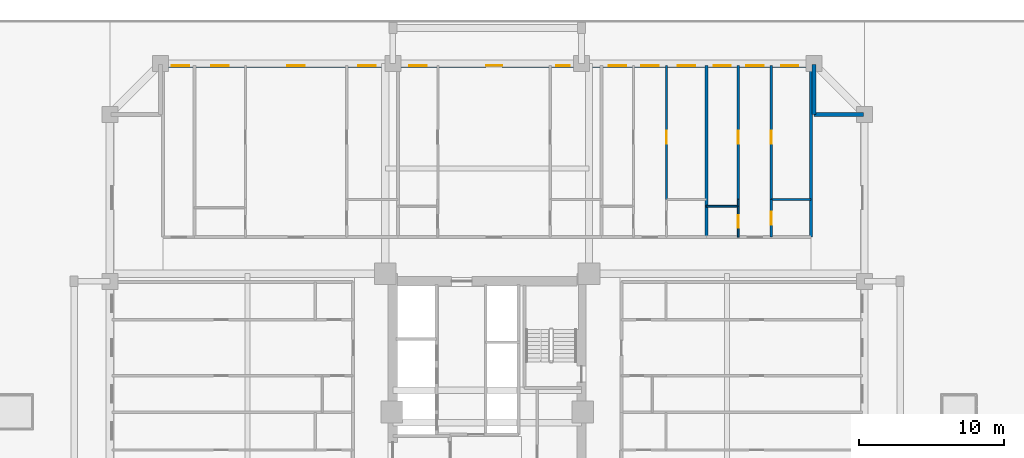
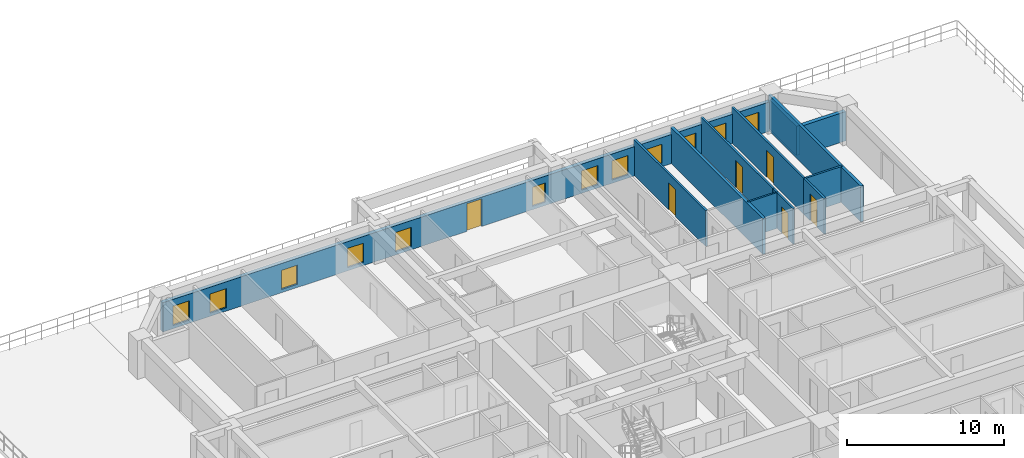
# One storey, part 9 of 19: 13 walls, 12 windows, 6 doors, 18 openings.
"""IFC4 building model written with IfcOpenShell, lengths in metres."""

from ifc_helpers import new_model, si_unit, direction, frame, frame_2d, origin, place, context, subcontext, project, spatial, rectangle, extrude, source, transform, mapped, material, layer, layer_set, type_object, element, fill, save


model = new_model("IFC4")

# Units and contexts
model_context = context("Model", 3, precision=1e-05, world=origin(), true_north=direction((0.0, 1.0)))
body_context = subcontext(model_context, "Body", "Model", "MODEL_VIEW")
ifc_project = project(units=[si_unit("LENGTHUNIT", "METRE"), si_unit("AREAUNIT", "SQUARE_METRE"), si_unit("VOLUMEUNIT", "CUBIC_METRE"), si_unit("PLANEANGLEUNIT", "RADIAN"), si_unit("MASSUNIT", "GRAM", prefix="KILO")], contexts=[model_context])

# Site, building, storey
site_placement = place(None, origin())
site = spatial("IfcSite", under=ifc_project, at=site_placement, CompositionType="ELEMENT")
building_placement = place(site_placement, origin())
building = spatial("IfcBuilding", under=site, at=building_placement, Name="Saelheon Loggia Tower", CompositionType="ELEMENT")
storey_placement = place(building_placement, frame((0.0, 0.0, 19.39990234375)))
storey = spatial("IfcBuildingStorey", under=building, at=storey_placement, Name="L05", CompositionType="ELEMENT", Elevation=19.39990234375)

# Wall, openings, windows, door
ifc_material_1 = material(Name="Architectural Precast Concrete C40/50", Category="concrete")
ifc_layer_1 = layer(ifc_material_1, 0.280029296875)
ifc_layer_set_1 = layer_set([ifc_layer_1], Name="Architectural Precast Concrete C40/50")
wall_type_1 = type_object("IfcWallType", Name="Wall_Ext_Loggia_280", PredefinedType="SOLIDWALL", material=ifc_layer_set_1)
wall_1_placement = place(storey_placement, frame((15.5, 50.860107421875, 0.0), z_axis=(0.0, 0.0, 1.0), x_axis=(1.0, 0.0, 0.0)))
wall_1 = element("IfcWall", 1, at=wall_1_placement, inside=storey, type_object=wall_type_1, Name="L05 North Loggia Inner Wall", PredefinedType="SOLIDWALL", context=body_context, shape_type="SweptSolid", body=[
    extrude(rectangle(XDim=45.0, YDim=0.280029296875, at=frame_2d((22.5, 0.0))), origin(), (0.0, 0.0, 1.0), 2.280029296875),
])
opening_1_placement = place(wall_1_placement, frame((0.760009765625, 0.0, 0.25)))
opening_1 = element("IfcOpeningElement", 2, at=opening_1_placement, cuts=wall_1, Name="Opening WN-03", PredefinedType="OPENING", context=body_context, shape_type="SweptSolid", body=[
    extrude(rectangle(XDim=1.199951171875, YDim=1.5, at=frame_2d((0.60009765625, 0.75))), frame((0.0, 0.152099609375, 0.0), z_axis=(0.0, -1.0, 0.0), x_axis=(1.0, 0.0, 0.0)), (0.0, 0.0, 1.0), 0.303955078125),
])
opening_2_placement = place(wall_1_placement, frame((3.494384765625, 0.0, 0.25)))
opening_2 = element("IfcOpeningElement", 3, at=opening_2_placement, cuts=wall_1, Name="Opening WN-03", PredefinedType="OPENING", context=body_context, shape_type="SweptSolid", body=[
    extrude(rectangle(XDim=1.199951171875, YDim=1.5, at=frame_2d((0.60009765625, 0.75))), frame((0.0, 0.152099609375, 0.0), z_axis=(0.0, -1.0, 0.0), x_axis=(1.0, 0.0, 0.0)), (0.0, 0.0, 1.0), 0.303955078125),
])
opening_3_placement = place(wall_1_placement, frame((8.740966796875, 0.0, 0.25)))
opening_3 = element("IfcOpeningElement", 4, at=opening_3_placement, cuts=wall_1, Name="Opening WN-03", PredefinedType="OPENING", context=body_context, shape_type="SweptSolid", body=[
    extrude(rectangle(XDim=1.199951171875, YDim=1.5, at=frame_2d((0.60009765625, 0.75))), frame((0.0, 0.152099609375, 0.0), z_axis=(0.0, -1.0, 0.0), x_axis=(1.0, 0.0, 0.0)), (0.0, 0.0, 1.0), 0.303955078125),
])
opening_4_placement = place(wall_1_placement, frame((13.616455078125, 0.0, 0.25)))
opening_4 = element("IfcOpeningElement", 5, at=opening_4_placement, cuts=wall_1, Name="Opening WN-03", PredefinedType="OPENING", context=body_context, shape_type="SweptSolid", body=[
    extrude(rectangle(XDim=1.199951171875, YDim=1.5, at=frame_2d((0.60009765625, 0.75))), frame((0.0, 0.152099609375, 0.0), z_axis=(0.0, -1.0, 0.0), x_axis=(1.0, 0.0, 0.0)), (0.0, 0.0, 1.0), 0.303955078125),
])
opening_5_placement = place(wall_1_placement, frame((17.145751953125, 0.0, 0.25)))
opening_5 = element("IfcOpeningElement", 6, at=opening_5_placement, cuts=wall_1, Name="Opening WN-03", PredefinedType="OPENING", context=body_context, shape_type="SweptSolid", body=[
    extrude(rectangle(XDim=1.199951171875, YDim=1.5, at=frame_2d((0.60009765625, 0.75))), frame((0.0, 0.152099609375, 0.0), z_axis=(0.0, -1.0, 0.0), x_axis=(1.0, 0.0, 0.0)), (0.0, 0.0, 1.0), 0.303955078125),
])
opening_6_placement = place(wall_1_placement, frame((22.423095703125, 0.0, 0.0)))
opening_6 = element("IfcOpeningElement", 7, at=opening_6_placement, cuts=wall_1, Name="Opening TD1", PredefinedType="OPENING", context=body_context, shape_type="SweptSolid", body=[
    extrude(rectangle(XDim=1.10009765625, YDim=2.14990234375, at=frame_2d((0.550048828125, 1.074951171875))), frame((0.0, 0.152099609375, 0.0), z_axis=(0.0, -1.0, 0.0), x_axis=(1.0, 0.0, 0.0)), (0.0, 0.0, 1.0), 0.303955078125),
])
opening_7_placement = place(wall_1_placement, frame((27.252197265625, 0.0, 0.25)))
opening_7 = element("IfcOpeningElement", 8, at=opening_7_placement, cuts=wall_1, Name="Opening WN-04", PredefinedType="OPENING", context=body_context, shape_type="SweptSolid", body=[
    extrude(rectangle(XDim=0.949951171875, YDim=1.5, at=frame_2d((0.47509765625, 0.75))), frame((0.0, 0.152099609375, 0.0), z_axis=(0.0, -1.0, 0.0), x_axis=(1.0, 0.0, 0.0)), (0.0, 0.0, 1.0), 0.303955078125),
])
opening_8_placement = place(wall_1_placement, frame((30.873291015625, 0.0, 0.25)))
opening_8 = element("IfcOpeningElement", 9, at=opening_8_placement, cuts=wall_1, Name="Opening WN-03", PredefinedType="OPENING", context=body_context, shape_type="SweptSolid", body=[
    extrude(rectangle(XDim=1.199951171875, YDim=1.5, at=frame_2d((0.60009765625, 0.75))), frame((0.0, 0.152099609375, 0.0), z_axis=(0.0, -1.0, 0.0), x_axis=(1.0, 0.0, 0.0)), (0.0, 0.0, 1.0), 0.303955078125),
])
opening_9_placement = place(wall_1_placement, frame((33.112548828125, 0.0, 0.25)))
opening_9 = element("IfcOpeningElement", 10, at=opening_9_placement, cuts=wall_1, Name="Opening WN-03", PredefinedType="OPENING", context=body_context, shape_type="SweptSolid", body=[
    extrude(rectangle(XDim=1.199951171875, YDim=1.5, at=frame_2d((0.60009765625, 0.75))), frame((0.0, 0.152099609375, 0.0), z_axis=(0.0, -1.0, 0.0), x_axis=(1.0, 0.0, 0.0)), (0.0, 0.0, 1.0), 0.303955078125),
])
opening_10_placement = place(wall_1_placement, frame((35.624267578125, 0.0, 0.25)))
opening_10 = element("IfcOpeningElement", 11, at=opening_10_placement, cuts=wall_1, Name="Opening WN-03", PredefinedType="OPENING", context=body_context, shape_type="SweptSolid", body=[
    extrude(rectangle(XDim=1.199951171875, YDim=1.5, at=frame_2d((0.60009765625, 0.75))), frame((0.0, 0.152099609375, 0.0), z_axis=(0.0, -1.0, 0.0), x_axis=(1.0, 0.0, 0.0)), (0.0, 0.0, 1.0), 0.303955078125),
])
opening_11_placement = place(wall_1_placement, frame((38.0966796875, 0.0, 0.25)))
opening_11 = element("IfcOpeningElement", 12, at=opening_11_placement, cuts=wall_1, Name="Opening WN-03", PredefinedType="OPENING", context=body_context, shape_type="SweptSolid", body=[
    extrude(rectangle(XDim=1.199951171875, YDim=1.5, at=frame_2d((0.60009765625, 0.75))), frame((0.0, 0.152099609375, 0.0), z_axis=(0.0, -1.0, 0.0), x_axis=(1.0, 0.0, 0.0)), (0.0, 0.0, 1.0), 0.303955078125),
])
opening_12_placement = place(wall_1_placement, frame((40.3359375, 0.0, 0.25)))
opening_12 = element("IfcOpeningElement", 13, at=opening_12_placement, cuts=wall_1, Name="Opening WN-03", PredefinedType="OPENING", context=body_context, shape_type="SweptSolid", body=[
    extrude(rectangle(XDim=1.199951171875, YDim=1.5, at=frame_2d((0.60009765625, 0.75))), frame((0.0, 0.152099609375, 0.0), z_axis=(0.0, -1.0, 0.0), x_axis=(1.0, 0.0, 0.0)), (0.0, 0.0, 1.0), 0.303955078125),
])
opening_13_placement = place(wall_1_placement, frame((42.74267578125, 0.0, 0.25)))
opening_13 = element("IfcOpeningElement", 14, at=opening_13_placement, cuts=wall_1, Name="Opening WN-03", PredefinedType="OPENING", context=body_context, shape_type="SweptSolid", body=[
    extrude(rectangle(XDim=1.199951171875, YDim=1.5, at=frame_2d((0.60009765625, 0.75))), frame((0.0, 0.152099609375, 0.0), z_axis=(0.0, -1.0, 0.0), x_axis=(1.0, 0.0, 0.0)), (0.0, 0.0, 1.0), 0.303955078125),
])
ifc_material_2 = material(Name="Thermal-Break Aluminium and Triple Low-E Glass", Category="aluminium")
window_type_1 = type_object("IfcWindowType", Name="Win_Bedroom_1200x1500", PartitioningType="SINGLE_PANEL", PredefinedType="WINDOW", material=ifc_material_2)
shared_shape_1 = source(origin(), body_context, "Body", "SweptSolid", [
    extrude(rectangle(XDim=1.199951171875, YDim=1.5, at=frame_2d((0.60009765625, 0.75))), frame((0.0, 0.030029296875, 0.0), z_axis=(0.0, -1.0, 0.0), x_axis=(1.0, 0.0, 0.0)), (0.0, 0.0, 1.0), 0.06005859375),
])
window_1_placement = place(opening_1_placement, origin())
window_1 = element("IfcWindow", 15, at=window_1_placement, inside=storey, type_object=window_type_1, Name="L05 N Dwelling Window 1", OverallHeight=1.5, OverallWidth=1.199951171875, PartitioningType="SINGLE_PANEL", PredefinedType="WINDOW", context=body_context, shape_type="MappedRepresentation", body=[
    mapped(shared_shape_1, transform((0.0, 0.0, 0.0), scale=1.0)),
])
fill(opening_1, window_1)
window_2_placement = place(opening_2_placement, origin())
window_2 = element("IfcWindow", 16, at=window_2_placement, inside=storey, type_object=window_type_1, Name="L05 N Dwelling Window 2", OverallHeight=1.5, OverallWidth=1.199951171875, PartitioningType="SINGLE_PANEL", PredefinedType="WINDOW", context=body_context, shape_type="MappedRepresentation", body=[
    mapped(shared_shape_1, transform((0.0, 0.0, 0.0), scale=1.0)),
])
fill(opening_2, window_2)
window_3_placement = place(opening_3_placement, origin())
window_3 = element("IfcWindow", 17, at=window_3_placement, inside=storey, type_object=window_type_1, Name="L05 N Dwelling Window 3", OverallHeight=1.5, OverallWidth=1.199951171875, PartitioningType="SINGLE_PANEL", PredefinedType="WINDOW", context=body_context, shape_type="MappedRepresentation", body=[
    mapped(shared_shape_1, transform((0.0, 0.0, 0.0), scale=1.0)),
])
fill(opening_3, window_3)
window_4_placement = place(opening_4_placement, origin())
window_4 = element("IfcWindow", 18, at=window_4_placement, inside=storey, type_object=window_type_1, Name="L05 N Dwelling Window 4", OverallHeight=1.5, OverallWidth=1.199951171875, PartitioningType="SINGLE_PANEL", PredefinedType="WINDOW", context=body_context, shape_type="MappedRepresentation", body=[
    mapped(shared_shape_1, transform((0.0, 0.0, 0.0), scale=1.0)),
])
fill(opening_4, window_4)
window_5_placement = place(opening_5_placement, origin())
window_5 = element("IfcWindow", 19, at=window_5_placement, inside=storey, type_object=window_type_1, Name="L05 N Dwelling Window 5", OverallHeight=1.5, OverallWidth=1.199951171875, PartitioningType="SINGLE_PANEL", PredefinedType="WINDOW", context=body_context, shape_type="MappedRepresentation", body=[
    mapped(shared_shape_1, transform((0.0, 0.0, 0.0), scale=1.0)),
])
fill(opening_5, window_5)
window_6_placement = place(opening_8_placement, origin())
window_6 = element("IfcWindow", 20, at=window_6_placement, inside=storey, type_object=window_type_1, Name="L05 N Dwelling Window 8", OverallHeight=1.5, OverallWidth=1.199951171875, PartitioningType="SINGLE_PANEL", PredefinedType="WINDOW", context=body_context, shape_type="MappedRepresentation", body=[
    mapped(shared_shape_1, transform((0.0, 0.0, 0.0), scale=1.0)),
])
fill(opening_8, window_6)
window_7_placement = place(opening_9_placement, origin())
window_7 = element("IfcWindow", 21, at=window_7_placement, inside=storey, type_object=window_type_1, Name="L05 N Dwelling Window 9", OverallHeight=1.5, OverallWidth=1.199951171875, PartitioningType="SINGLE_PANEL", PredefinedType="WINDOW", context=body_context, shape_type="MappedRepresentation", body=[
    mapped(shared_shape_1, transform((0.0, 0.0, 0.0), scale=1.0)),
])
fill(opening_9, window_7)
window_8_placement = place(opening_10_placement, origin())
window_8 = element("IfcWindow", 22, at=window_8_placement, inside=storey, type_object=window_type_1, Name="L05 N Dwelling Window 10", OverallHeight=1.5, OverallWidth=1.199951171875, PartitioningType="SINGLE_PANEL", PredefinedType="WINDOW", context=body_context, shape_type="MappedRepresentation", body=[
    mapped(shared_shape_1, transform((0.0, 0.0, 0.0), scale=1.0)),
])
fill(opening_10, window_8)
window_9_placement = place(opening_11_placement, origin())
window_9 = element("IfcWindow", 23, at=window_9_placement, inside=storey, type_object=window_type_1, Name="L05 N Dwelling Window 11", OverallHeight=1.5, OverallWidth=1.199951171875, PartitioningType="SINGLE_PANEL", PredefinedType="WINDOW", context=body_context, shape_type="MappedRepresentation", body=[
    mapped(shared_shape_1, transform((0.0, 0.0, 0.0), scale=1.0)),
])
fill(opening_11, window_9)
window_10_placement = place(opening_12_placement, origin())
window_10 = element("IfcWindow", 24, at=window_10_placement, inside=storey, type_object=window_type_1, Name="L05 N Dwelling Window 12", OverallHeight=1.5, OverallWidth=1.199951171875, PartitioningType="SINGLE_PANEL", PredefinedType="WINDOW", context=body_context, shape_type="MappedRepresentation", body=[
    mapped(shared_shape_1, transform((0.0, 0.0, 0.0), scale=1.0)),
])
fill(opening_12, window_10)
window_11_placement = place(opening_13_placement, origin())
window_11 = element("IfcWindow", 25, at=window_11_placement, inside=storey, type_object=window_type_1, Name="L05 N Dwelling Window 13", OverallHeight=1.5, OverallWidth=1.199951171875, PartitioningType="SINGLE_PANEL", PredefinedType="WINDOW", context=body_context, shape_type="MappedRepresentation", body=[
    mapped(shared_shape_1, transform((0.0, 0.0, 0.0), scale=1.0)),
])
fill(opening_13, window_11)
ifc_material_3 = material(Name="Thermal-Break Aluminium Glazed Door", Category="aluminium")
door_type_1 = type_object("IfcDoorType", Name="Door_Terrace_TD1", OperationType="NOTDEFINED", PredefinedType="DOOR", material=ifc_material_3)
shared_shape_2 = source(origin(), body_context, "Body", "SweptSolid", [
    extrude(rectangle(XDim=1.10009765625, YDim=2.14990234375, at=frame_2d((0.550048828125, 1.074951171875))), frame((0.0, 0.02490234375, 0.0), z_axis=(0.0, -1.0, 0.0), x_axis=(1.0, 0.0, 0.0)), (0.0, 0.0, 1.0), 0.050048828125),
])
door_1_placement = place(opening_6_placement, origin())
door_1 = element("IfcDoor", 26, at=door_1_placement, inside=storey, type_object=door_type_1, Name="L05 N Loggia Access Door", OperationType="SINGLE_SWING_RIGHT", OverallHeight=2.14990234375, OverallWidth=1.10009765625, PredefinedType="DOOR", context=body_context, shape_type="MappedRepresentation", body=[
    mapped(shared_shape_2, transform((0.0, 0.0, 0.0), scale=1.0)),
])
fill(opening_6, door_1)
window_type_2 = type_object("IfcWindowType", Name="Win_Narrow_950x1500", PartitioningType="SINGLE_PANEL", PredefinedType="WINDOW", material=ifc_material_2)
shared_shape_3 = source(origin(), body_context, "Body", "SweptSolid", [
    extrude(rectangle(XDim=0.949951171875, YDim=1.5, at=frame_2d((0.47509765625, 0.75))), frame((0.0, 0.030029296875, 0.0), z_axis=(0.0, -1.0, 0.0), x_axis=(1.0, 0.0, 0.0)), (0.0, 0.0, 1.0), 0.06005859375),
])
window_12_placement = place(opening_7_placement, origin())
window_12 = element("IfcWindow", 27, at=window_12_placement, inside=storey, type_object=window_type_2, Name="L05 N Dwelling Window 7", OverallHeight=1.5, OverallWidth=0.949951171875, PartitioningType="SINGLE_PANEL", PredefinedType="WINDOW", context=body_context, shape_type="MappedRepresentation", body=[
    mapped(shared_shape_3, transform((0.0, 0.0, 0.0), scale=1.0)),
])
fill(opening_7, window_12)

# Walls
for number, where, z_axis, x_axis, name in (
    (28, (60.5, 47.5, 0.0), (0.0, 0.0, 1.0), (0.0, 1.0, 0.0), "L05 Corner Notch Precast Wall NE1"),
    (29, (60.5, 47.5, 0.0), (0.0, 0.0, 1.0), (1.0, 0.0, 0.0), "L05 Corner Notch Precast Wall NE2"),
):
    element("IfcWall", number, at=place(storey_placement, frame(where, z_axis=z_axis, x_axis=x_axis)), inside=storey, type_object=wall_type_1, Name=name, PredefinedType="SOLIDWALL", context=body_context, shape_type="SweptSolid", body=[
        extrude(rectangle(XDim=3.419921875, YDim=0.280029296875, at=frame_2d((1.7099609375, 0.0))), origin(), (0.0, 0.0, 1.0), 2.280029296875),
    ])

# Wall, opening, door
ifc_material_4 = material(Name="Lightweight Autoclaved Aerated Concrete Block and Acoustic Gypsum", Category="concrete")
ifc_layer_2 = layer(ifc_material_4, 0.14990234375)
ifc_layer_set_2 = layer_set([ifc_layer_2], Name="Lightweight Autoclaved Aerated Concrete Block and Acoustic Gypsum")
wall_type_2 = type_object("IfcWallType", Name="Wall_Part_150", PredefinedType="PARTITIONING", material=ifc_layer_set_2)
wall_2_placement = place(storey_placement, frame((50.351806640625, 41.639892578125, 0.0), z_axis=(0.0, 0.0, 1.0), x_axis=(0.0, 1.0, 0.0)))
wall_2 = element("IfcWall", 30, at=wall_2_placement, inside=storey, type_object=wall_type_2, Name="L05 N Partition U36", PredefinedType="PARTITIONING", context=body_context, shape_type="SweptSolid", body=[
    extrude(rectangle(XDim=9.210205078125, YDim=0.14990234375, at=frame_2d((4.60498046875, 0.0))), origin(), (0.0, 0.0, 1.0), 2.7900390625),
])
opening_14_placement = place(wall_2_placement, frame((3.82861328125, 0.0, 0.0)))
opening_14 = element("IfcOpeningElement", 31, at=opening_14_placement, cuts=wall_2, Name="Opening D-IN2", PredefinedType="OPENING", context=body_context, shape_type="SweptSolid", body=[
    extrude(rectangle(XDim=0.89990234375, YDim=2.10009765625, at=frame_2d((0.449951171875, 1.050048828125))), frame((0.0, 0.0869140625, 0.0), z_axis=(0.0, -1.0, 0.0), x_axis=(1.0, 0.0, 0.0)), (0.0, 0.0, 1.0), 0.173828125),
])
ifc_material_5 = material(Name="Engineered Oak Flush Door", Category="timber")
door_type_2 = type_object("IfcDoorType", Name="Door_Int_900", OperationType="NOTDEFINED", PredefinedType="DOOR", material=ifc_material_5)
shared_shape_4 = source(origin(), body_context, "Body", "SweptSolid", [
    extrude(rectangle(XDim=0.89990234375, YDim=2.10009765625, at=frame_2d((0.449951171875, 1.050048828125))), frame((0.0, 0.02490234375, 0.0), z_axis=(0.0, -1.0, 0.0), x_axis=(1.0, 0.0, 0.0)), (0.0, 0.0, 1.0), 0.050048828125),
])
door_2_placement = place(opening_14_placement, origin())
door_2 = element("IfcDoor", 32, at=door_2_placement, inside=storey, type_object=door_type_2, Name="Unit U09 Bedroom 1 Door", OperationType="SINGLE_SWING_RIGHT", OverallHeight=2.10009765625, OverallWidth=0.89990234375, PredefinedType="DOOR", context=body_context, shape_type="MappedRepresentation", body=[
    mapped(shared_shape_4, transform((0.0, 0.0, 0.0), scale=1.0)),
])
fill(opening_14, door_2)

# Wall
wall_3_placement = place(storey_placement, frame((57.5751953125, 41.639892578125, 0.0), z_axis=(0.0, 0.0, 1.0), x_axis=(1.0, 0.0, 0.0)))
element("IfcWall", 33, at=wall_3_placement, inside=storey, type_object=wall_type_2, Name="L05 N Partition V42", PredefinedType="PARTITIONING", context=body_context, shape_type="SweptSolid", body=[
    extrude(rectangle(XDim=2.744873046875, YDim=0.14990234375, at=frame_2d((1.37255859375, 0.0))), origin(), (0.0, 0.0, 1.0), 2.7900390625),
])

# Wall, opening, door
wall_4_placement = place(storey_placement, frame((55.296630859375, 41.639892578125, 0.0), z_axis=(0.0, 0.0, 1.0), x_axis=(0.0, 1.0, 0.0)))
wall_4 = element("IfcWall", 34, at=wall_4_placement, inside=storey, type_object=wall_type_2, Name="L05 N Partition U45", PredefinedType="PARTITIONING", context=body_context, shape_type="SweptSolid", body=[
    extrude(rectangle(XDim=9.210205078125, YDim=0.14990234375, at=frame_2d((4.60498046875, 0.0))), origin(), (0.0, 0.0, 1.0), 2.7900390625),
])
opening_15_placement = place(wall_4_placement, frame((3.82861328125, 0.0, 0.0)))
opening_15 = element("IfcOpeningElement", 35, at=opening_15_placement, cuts=wall_4, Name="Opening D-IN2", PredefinedType="OPENING", context=body_context, shape_type="SweptSolid", body=[
    extrude(rectangle(XDim=0.89990234375, YDim=2.10009765625, at=frame_2d((0.449951171875, 1.050048828125))), frame((0.0, 0.0869140625, 0.0), z_axis=(0.0, -1.0, 0.0), x_axis=(1.0, 0.0, 0.0)), (0.0, 0.0, 1.0), 0.173828125),
])
door_3_placement = place(opening_15_placement, origin())
door_3 = element("IfcDoor", 36, at=door_3_placement, inside=storey, type_object=door_type_2, Name="Unit U10 Kitchen Door", OperationType="SINGLE_SWING_LEFT", OverallHeight=2.10009765625, OverallWidth=0.89990234375, PredefinedType="DOOR", context=body_context, shape_type="MappedRepresentation", body=[
    mapped(shared_shape_4, transform((0.0, 0.0, 0.0), scale=1.0)),
])
fill(opening_15, door_3)

wall_5_placement = place(storey_placement, frame((57.5751953125, 39.050048828125, 0.0), z_axis=(0.0, 0.0, 1.0), x_axis=(0.0, 1.0, 0.0)))
wall_5 = element("IfcWall", 37, at=wall_5_placement, inside=storey, type_object=wall_type_2, Name="L05 N Partition U46", PredefinedType="PARTITIONING", context=body_context, shape_type="SweptSolid", body=[
    extrude(rectangle(XDim=2.58984375, YDim=0.14990234375, at=frame_2d((1.294921875, 0.0))), origin(), (0.0, 0.0, 1.0), 2.7900390625),
])
opening_16_placement = place(wall_5_placement, frame((0.844970703125, 0.0, 0.0)))
opening_16 = element("IfcOpeningElement", 38, at=opening_16_placement, cuts=wall_5, Name="Opening D-IN2", PredefinedType="OPENING", context=body_context, shape_type="SweptSolid", body=[
    extrude(rectangle(XDim=0.89990234375, YDim=2.10009765625, at=frame_2d((0.449951171875, 1.050048828125))), frame((0.0, 0.0869140625, 0.0), z_axis=(0.0, -1.0, 0.0), x_axis=(1.0, 0.0, 0.0)), (0.0, 0.0, 1.0), 0.173828125),
])
door_4_placement = place(opening_16_placement, origin())
door_4 = element("IfcDoor", 39, at=door_4_placement, inside=storey, type_object=door_type_2, Name="Unit U10 Dressing Closet Door", OperationType="SINGLE_SWING_RIGHT", OverallHeight=2.10009765625, OverallWidth=0.89990234375, PredefinedType="DOOR", context=body_context, shape_type="MappedRepresentation", body=[
    mapped(shared_shape_4, transform((0.0, 0.0, 0.0), scale=1.0)),
])
fill(opening_16, door_4)

wall_6_placement = place(storey_placement, frame((57.5751953125, 41.639892578125, 0.0), z_axis=(0.0, 0.0, 1.0), x_axis=(0.0, 1.0, 0.0)))
wall_6 = element("IfcWall", 40, at=wall_6_placement, inside=storey, type_object=wall_type_2, Name="L05 N Partition U47", PredefinedType="PARTITIONING", context=body_context, shape_type="SweptSolid", body=[
    extrude(rectangle(XDim=9.210205078125, YDim=0.14990234375, at=frame_2d((4.60498046875, 0.0))), origin(), (0.0, 0.0, 1.0), 2.7900390625),
])
opening_17_placement = place(wall_6_placement, frame((3.82861328125, 0.0, 0.0)))
opening_17 = element("IfcOpeningElement", 41, at=opening_17_placement, cuts=wall_6, Name="Opening D-IN2", PredefinedType="OPENING", context=body_context, shape_type="SweptSolid", body=[
    extrude(rectangle(XDim=0.89990234375, YDim=2.10009765625, at=frame_2d((0.449951171875, 1.050048828125))), frame((0.0, 0.0869140625, 0.0), z_axis=(0.0, -1.0, 0.0), x_axis=(1.0, 0.0, 0.0)), (0.0, 0.0, 1.0), 0.173828125),
])
door_5_placement = place(opening_17_placement, origin())
door_5 = element("IfcDoor", 42, at=door_5_placement, inside=storey, type_object=door_type_2, Name="Unit U10 Bedroom 1 Door", OperationType="SINGLE_SWING_LEFT", OverallHeight=2.10009765625, OverallWidth=0.89990234375, PredefinedType="DOOR", context=body_context, shape_type="MappedRepresentation", body=[
    mapped(shared_shape_4, transform((0.0, 0.0, 0.0), scale=1.0)),
])
fill(opening_17, door_5)

# Walls
ifc_material_6 = material(Name="Double Acoustic Stud and Fireboard Partition", Category="gypsum")
ifc_layer_3 = layer(ifc_material_6, 0.199951171875)
ifc_layer_set_3 = layer_set([ifc_layer_3], Name="Double Acoustic Stud and Fireboard Partition")
wall_type_3 = type_object("IfcWallType", Name="Wall_Party_200", PredefinedType="PARTITIONING", material=ifc_layer_set_3)
for number, where, z_axis, x_axis, name in (
    (43, (60.320068359375, 39.050048828125, 0.0), (0.0, 0.0, 1.0), (0.0, 1.0, 0.0), "L05 N Partition U02"),
    (44, (53.0966796875, 39.050048828125, 0.0), (0.0, 0.0, 1.0), (0.0, 1.0, 0.0), "L05 N Partition U37"),
):
    element("IfcWall", number, at=place(storey_placement, frame(where, z_axis=z_axis, x_axis=x_axis)), inside=storey, type_object=wall_type_3, Name=name, PredefinedType="PARTITIONING", context=body_context, shape_type="SweptSolid", body=[
        extrude(rectangle(XDim=11.800048828125, YDim=0.199951171875, at=frame_2d((5.89990234375, 0.0))), origin(), (0.0, 0.0, 1.0), 2.7900390625),
    ])
ifc_material_7 = material(Name="Moisture-Resistant Cement Board Partition", Category="gypsum")
ifc_layer_4 = layer(ifc_material_7, 0.1201171875)
ifc_layer_set_4 = layer_set([ifc_layer_4], Name="Moisture-Resistant Cement Board Partition")
wall_type_4 = type_object("IfcWallType", Name="Wall_WetPart_120", PredefinedType="PARTITIONING", material=ifc_layer_set_4)
wall_7_placement = place(storey_placement, frame((53.0966796875, 41.169921875, 0.0), z_axis=(0.0, 0.0, 1.0), x_axis=(1.0, 0.0, 0.0)))
element("IfcWall", 45, at=wall_7_placement, inside=storey, type_object=wall_type_4, Name="L05 N Partition V41", PredefinedType="PARTITIONING", context=body_context, shape_type="SweptSolid", body=[
    extrude(rectangle(XDim=2.199951171875, YDim=0.1201171875, at=frame_2d((1.10009765625, 0.0))), origin(), (0.0, 0.0, 1.0), 2.7900390625),
])

# Wall, opening, door
wall_8_placement = place(storey_placement, frame((55.296630859375, 39.050048828125, 0.0), z_axis=(0.0, 0.0, 1.0), x_axis=(0.0, 1.0, 0.0)))
wall_8 = element("IfcWall", 46, at=wall_8_placement, inside=storey, type_object=wall_type_4, Name="L05 N Partition U43", PredefinedType="PARTITIONING", context=body_context, shape_type="SweptSolid", body=[
    extrude(rectangle(XDim=2.119873046875, YDim=0.1201171875, at=frame_2d((1.06005859375, 0.0))), origin(), (0.0, 0.0, 1.0), 2.7900390625),
])
opening_18_placement = place(wall_8_placement, frame((0.635009765625, 0.0, 0.0)))
opening_18 = element("IfcOpeningElement", 47, at=opening_18_placement, cuts=wall_8, Name="Opening D-BT1", PredefinedType="OPENING", context=body_context, shape_type="SweptSolid", body=[
    extrude(rectangle(XDim=0.85009765625, YDim=2.050048828125, at=frame_2d((0.425048828125, 1.02490234375))), frame((0.0, 0.072021484375, 0.0), z_axis=(0.0, -1.0, 0.0), x_axis=(1.0, 0.0, 0.0)), (0.0, 0.0, 1.0), 0.14404296875),
])
ifc_material_8 = material(Name="Moisture-Resistant Laminate Timber Door", Category="wood")
door_type_3 = type_object("IfcDoorType", Name="Door_Bath_850", OperationType="NOTDEFINED", PredefinedType="DOOR", material=ifc_material_8)
shared_shape_5 = source(origin(), body_context, "Body", "SweptSolid", [
    extrude(rectangle(XDim=0.85009765625, YDim=2.050048828125, at=frame_2d((0.425048828125, 1.02490234375))), frame((0.0, 0.02490234375, 0.0), z_axis=(0.0, -1.0, 0.0), x_axis=(1.0, 0.0, 0.0)), (0.0, 0.0, 1.0), 0.050048828125),
])
door_6_placement = place(opening_18_placement, origin())
door_6 = element("IfcDoor", 48, at=door_6_placement, inside=storey, type_object=door_type_3, Name="Unit U10 Bathroom Door", OperationType="SINGLE_SWING_RIGHT", OverallHeight=2.050048828125, OverallWidth=0.85009765625, PredefinedType="DOOR", context=body_context, shape_type="MappedRepresentation", body=[
    mapped(shared_shape_5, transform((0.0, 0.0, 0.0), scale=1.0)),
])
fill(opening_18, door_6)

# Wall
wall_9_placement = place(storey_placement, frame((55.296630859375, 41.169921875, 0.0), z_axis=(0.0, 0.0, 1.0), x_axis=(0.0, 1.0, 0.0)))
element("IfcWall", 49, at=wall_9_placement, inside=storey, type_object=wall_type_4, Name="L05 N Partition U44", PredefinedType="PARTITIONING", context=body_context, shape_type="SweptSolid", body=[
    extrude(rectangle(XDim=0.469970703125, YDim=0.1201171875, at=frame_2d((0.23486328125, 0.0))), origin(), (0.0, 0.0, 1.0), 2.7900390625),
])

save(model, "model.ifc")
